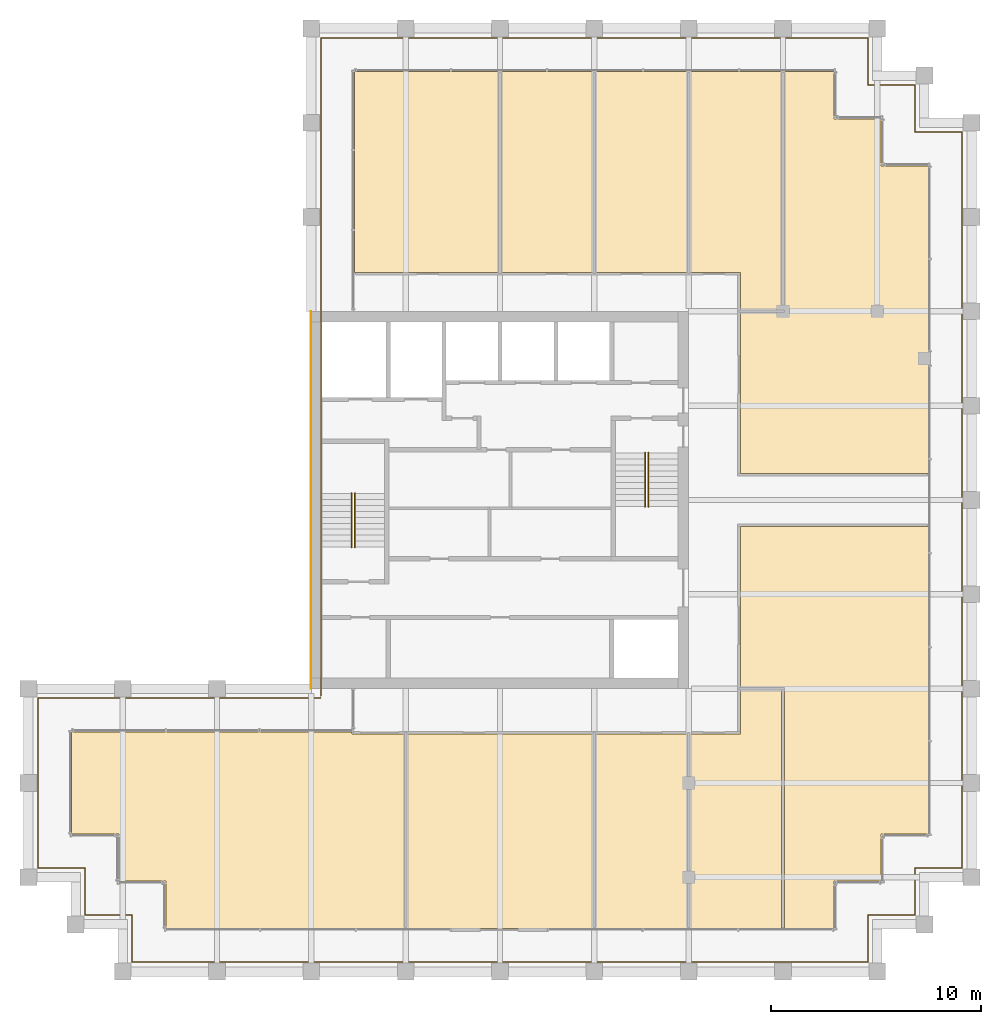
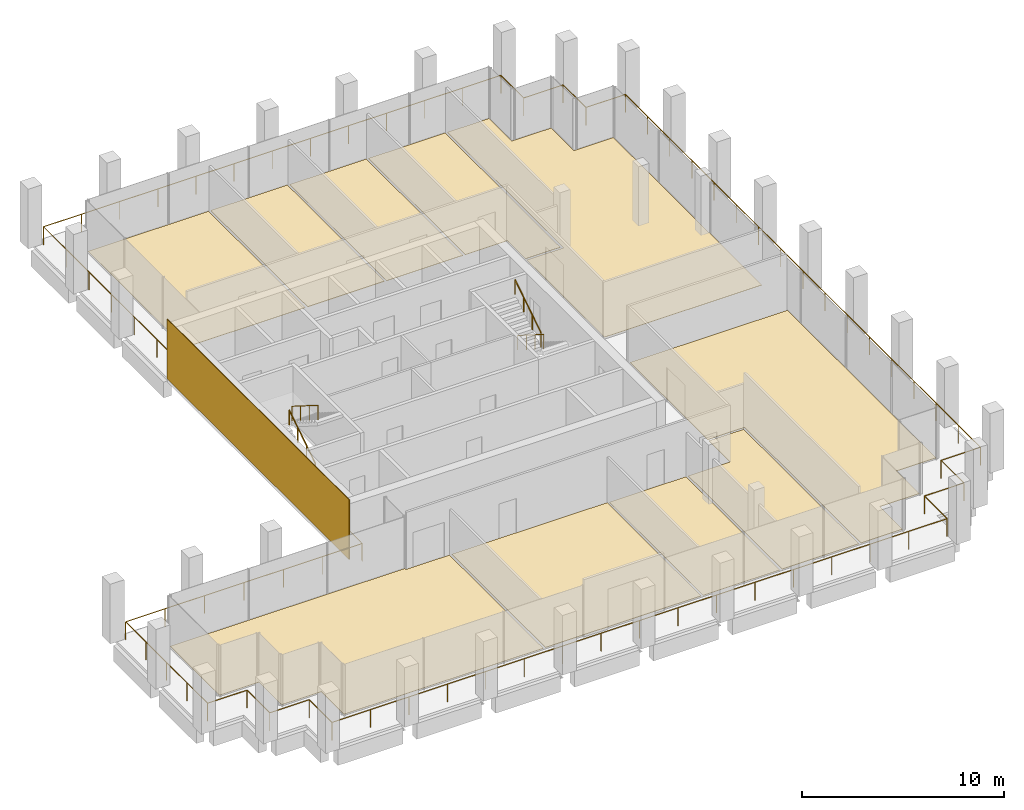
# One storey, part 30 of 30: 11 coverings, 5 railings.
"""IFC4 building model written with IfcOpenShell, lengths in metres."""

from ifc_helpers import new_model, si_unit, direction, frame, origin, origin_2d, place, context, subcontext, project, spatial, polyline, rectangle, circle, outline, extrude, source, transform, mapped, material, layer, layer_set, type_object, element, save


model = new_model("IFC4")

# Units and contexts
model_context = context("Model", 3, precision=1e-05, world=origin(), true_north=direction((0.0, 1.0)))
body_context = subcontext(model_context, "Body", "Model", "MODEL_VIEW")
ifc_project = project(units=[si_unit("LENGTHUNIT", "METRE"), si_unit("AREAUNIT", "SQUARE_METRE"), si_unit("VOLUMEUNIT", "CUBIC_METRE"), si_unit("PLANEANGLEUNIT", "RADIAN"), si_unit("MASSUNIT", "GRAM", prefix="KILO")], contexts=[model_context])

# Site, building, storey
site_placement = place(None, origin())
site = spatial("IfcSite", under=ifc_project, at=site_placement, CompositionType="ELEMENT")
building_placement = place(site_placement, origin())
building = spatial("IfcBuilding", under=site, at=building_placement, Name="Altepetl Exchange Towers", CompositionType="ELEMENT")
storey_placement = place(building_placement, frame((0.0, 0.0, 217.199951171875)))
storey = spatial("IfcBuildingStorey", under=building, at=storey_placement, Name="L55", CompositionType="ELEMENT", Elevation=217.199951171875)

# Coverings
ifc_material_1 = material(Name="Carpet tile")
ifc_layer_1 = layer(ifc_material_1, 0.02001953125)
ifc_layer_set_1 = layer_set([ifc_layer_1], Name="Carpet tile")
covering_type_1 = type_object("IfcCoveringType", Name="Carpet tile floor", PredefinedType="FLOORING", material=ifc_layer_set_1)
covering_1_placement = place(storey_placement, origin())
element("IfcCovering", 1, at=covering_1_placement, inside=storey, type_object=covering_type_1, Name="Fund office floor finish A55.01", PredefinedType="FLOORING", context=body_context, shape_type="SweptSolid", body=[
    extrude(outline(polyline([(33.5625, 29.0625), (44.9375, 29.0625), (44.9375, 38.33740234375), (42.4375, 38.33740234375), (42.4375, 38.4375), (29.0625, 38.4375), (29.0625, 33.5625), (31.3125, 33.5625), (31.3125, 31.3125), (33.5625, 31.3125), (33.5625, 29.0625)])), origin(), (0.0, 0.0, 1.0), 0.02001953125),
])
covering_2_placement = place(storey_placement, origin())
element("IfcCovering", 2, at=covering_2_placement, inside=storey, type_object=covering_type_1, Name="Pantry floor finish A55.03", PredefinedType="FLOORING", context=body_context, shape_type="SweptSolid", body=[
    extrude(outline(polyline([(58.4375, 29.0625), (58.4375, 38.33740234375), (54.0625, 38.33740234375), (54.0625, 29.0625), (58.4375, 29.0625)])), origin(), (0.0, 0.0, 1.0), 0.02001953125),
])
covering_3_placement = place(storey_placement, origin())
element("IfcCovering", 3, at=covering_3_placement, inside=storey, type_object=covering_type_1, Name="Fund office floor finish A55.06", PredefinedType="FLOORING", context=body_context, shape_type="SweptSolid", body=[
    extrude(outline(polyline([(60.96240234375, 50.762451171875), (69.9375, 50.762451171875), (69.9375, 65.4375), (67.6875, 65.4375), (67.6875, 67.6875), (65.4375, 67.6875), (65.4375, 69.9375), (63.0625, 69.9375), (63.0625, 58.4375), (60.96240234375, 58.4375), (60.96240234375, 50.762451171875)])), origin(), (0.0, 0.0, 1.0), 0.02001953125),
])
covering_4_placement = place(storey_placement, origin())
element("IfcCovering", 4, at=covering_4_placement, inside=storey, type_object=covering_type_1, Name="Training room floor finish A55.07", PredefinedType="FLOORING", context=body_context, shape_type="SweptSolid", body=[
    extrude(outline(polyline([(60.96240234375, 58.5625), (62.9375, 58.5625), (62.9375, 69.9375), (58.5625, 69.9375), (58.5625, 60.362548828125), (60.96240234375, 60.362548828125), (60.96240234375, 58.5625)])), origin(), (0.0, 0.0, 1.0), 0.02001953125),
])
covering_5_placement = place(storey_placement, origin())
element("IfcCovering", 5, at=covering_5_placement, inside=storey, type_object=covering_type_1, Name="Meeting room floor finish A55.08", PredefinedType="FLOORING", context=body_context, shape_type="SweptSolid", body=[
    extrude(outline(polyline([(58.4375, 60.362548828125), (58.4375, 69.9375), (54.0625, 69.9375), (54.0625, 60.362548828125), (58.4375, 60.362548828125)])), origin(), (0.0, 0.0, 1.0), 0.02001953125),
])
covering_6_placement = place(storey_placement, origin())
element("IfcCovering", 6, at=covering_6_placement, inside=storey, type_object=covering_type_1, Name="Conference room floor finish A55.10", PredefinedType="FLOORING", context=body_context, shape_type="SweptSolid", body=[
    extrude(outline(polyline([(49.4375, 60.362548828125), (49.4375, 69.9375), (42.5625, 69.9375), (42.5625, 60.362548828125), (49.4375, 60.362548828125)])), origin(), (0.0, 0.0, 1.0), 0.02001953125),
])
ifc_material_2 = material(Name="Cantera stone", Category="masonry")
ifc_layer_2 = layer(ifc_material_2, 0.030029296875)
ifc_layer_set_2 = layer_set([ifc_layer_2], Name="Cantera stone")
covering_type_2 = type_object("IfcCoveringType", Name="Polished stone floor", PredefinedType="FLOORING", material=ifc_layer_set_2)
covering_7_placement = place(storey_placement, origin())
element("IfcCovering", 7, at=covering_7_placement, inside=storey, type_object=covering_type_2, Name="Staff club floor finish A55.02", PredefinedType="FLOORING", context=body_context, shape_type="SweptSolid", body=[
    extrude(outline(polyline([(53.9375, 29.0625), (53.9375, 38.33740234375), (45.0625, 38.33740234375), (45.0625, 29.0625), (53.9375, 29.0625)])), origin(), (0.0, 0.0, 1.0), 0.030029296875),
])
covering_8_placement = place(storey_placement, origin())
element("IfcCovering", 8, at=covering_8_placement, inside=storey, type_object=covering_type_2, Name="Boardroom floor finish A55.04", PredefinedType="FLOORING", context=body_context, shape_type="SweptSolid", body=[
    extrude(outline(polyline([(62.9375, 29.0625), (62.9375, 40.4375), (60.96240234375, 40.4375), (60.96240234375, 38.33740234375), (58.5625, 38.33740234375), (58.5625, 29.0625), (62.9375, 29.0625)])), origin(), (0.0, 0.0, 1.0), 0.030029296875),
])
covering_9_placement = place(storey_placement, origin())
element("IfcCovering", 9, at=covering_9_placement, inside=storey, type_object=covering_type_2, Name="Cafe floor finish A55.05", PredefinedType="FLOORING", context=body_context, shape_type="SweptSolid", body=[
    extrude(outline(polyline([(67.6875, 31.3125), (67.6875, 33.5625), (69.9375, 33.5625), (69.9375, 48.237548828125), (60.96240234375, 48.237548828125), (60.96240234375, 40.5625), (63.0625, 40.5625), (63.0625, 29.0625), (65.4375, 29.0625), (65.4375, 31.3125), (67.6875, 31.3125)])), origin(), (0.0, 0.0, 1.0), 0.030029296875),
])
covering_10_placement = place(storey_placement, origin())
element("IfcCovering", 10, at=covering_10_placement, inside=storey, type_object=covering_type_2, Name="Lounge floor finish A55.09", PredefinedType="FLOORING", context=body_context, shape_type="SweptSolid", body=[
    extrude(outline(polyline([(53.9375, 60.362548828125), (53.9375, 69.9375), (49.5625, 69.9375), (49.5625, 60.362548828125), (53.9375, 60.362548828125)])), origin(), (0.0, 0.0, 1.0), 0.030029296875),
])
ifc_material_3 = material(Name="Cantera limestone cladding", Category="masonry")
ifc_layer_3 = layer(ifc_material_3, 0.0400390625)
ifc_layer_set_3 = layer_set([ifc_layer_3], Name="Cantera limestone cladding")
covering_type_3 = type_object("IfcCoveringType", Name="Stone panel 40 cantera", PredefinedType="CLADDING", material=ifc_layer_set_3)
covering_11_placement = place(storey_placement, frame((40.47998046875, 49.5, 0.0), z_axis=(0.0, 0.0, 1.0), x_axis=(0.0, -1.0, 0.0)))
element("IfcCovering", 11, at=covering_11_placement, inside=storey, type_object=covering_type_3, Name="Stone cladding panel", PredefinedType="CLADDING", context=body_context, shape_type="SweptSolid", body=[
    extrude(rectangle(XDim=18.0, YDim=0.0400390625, at=origin_2d()), origin(), (0.0, 0.0, 1.0), 3.60009765625),
])

# Railings
ifc_material_4 = material(Name="Steel S355", Category="steel")
railing_type_1 = type_object("IfcRailingType", Name="Guard 1100 steel posts and rail", PredefinedType="GUARDRAIL", material=ifc_material_4)
shared_shape_1 = source(origin(), body_context, "Body", "SweptSolid", [
    extrude(circle(Radius=0.02099609375, at=origin_2d()), origin(), (0.0, 0.0, 1.0), 1.052001953125),
])
railing_1_placement = place(storey_placement, frame((40.949951171875, 40.050048828125, 0.0)))
element("IfcRailing", 12, at=railing_1_placement, inside=storey, type_object=railing_type_1, Name="Loggia guard", PredefinedType="GUARDRAIL", context=body_context, shape_type="SweptSolid", body=[
    extrude(circle(Radius=0.02392578125, at=origin_2d()), frame((0.0, 0.0, 1.076171875), z_axis=(-1.0, 0.0, 0.0), x_axis=(0.0, -1.0, 0.0)), (0.0, 0.0, 1.0), 13.5),
    extrude(circle(Radius=0.02392578125, at=origin_2d()), frame((-13.5, 0.0, 1.076171875), z_axis=(0.0, -1.0, 0.0), x_axis=(1.0, 0.0, 0.0)), (0.0, 0.0, 1.0), 8.10009765625),
    extrude(circle(Radius=0.02392578125, at=origin_2d()), frame((-13.5, -8.10009765625, 1.076171875), z_axis=(1.0, 0.0, 0.0), x_axis=(0.0, 1.0, 0.0)), (0.0, 0.0, 1.0), 2.25),
    extrude(circle(Radius=0.02392578125, at=origin_2d()), frame((-11.25, -8.10009765625, 1.076171875), z_axis=(0.0, -1.0, 0.0), x_axis=(1.0, 0.0, 0.0)), (0.0, 0.0, 1.0), 2.25),
    extrude(circle(Radius=0.02392578125, at=origin_2d()), frame((-11.25, -10.35009765625, 1.076171875), z_axis=(1.0, 0.0, 0.0), x_axis=(0.0, 1.0, 0.0)), (0.0, 0.0, 1.0), 2.25),
    extrude(circle(Radius=0.02392578125, at=origin_2d()), frame((-9.0, -10.35009765625, 1.076171875), z_axis=(0.0, -1.0, 0.0), x_axis=(1.0, 0.0, 0.0)), (0.0, 0.0, 1.0), 2.25),
    extrude(circle(Radius=0.02392578125, at=origin_2d()), frame((-9.0, -12.60009765625, 1.076171875), z_axis=(1.0, 0.0, 0.0), x_axis=(0.0, 1.0, 0.0)), (0.0, 0.0, 1.0), 35.10009765625),
    extrude(circle(Radius=0.02392578125, at=origin_2d()), frame((26.10009765625, -12.60009765625, 1.076171875), z_axis=(0.0, 1.0, 0.0), x_axis=(-1.0, 0.0, 0.0)), (0.0, 0.0, 1.0), 2.25),
    extrude(circle(Radius=0.02392578125, at=origin_2d()), frame((26.10009765625, -10.35009765625, 1.076171875), z_axis=(1.0, 0.0, 0.0), x_axis=(0.0, 1.0, 0.0)), (0.0, 0.0, 1.0), 2.25),
    extrude(circle(Radius=0.02392578125, at=origin_2d()), frame((28.35009765625, -10.35009765625, 1.076171875), z_axis=(0.0, 1.0, 0.0), x_axis=(-1.0, 0.0, 0.0)), (0.0, 0.0, 1.0), 2.25),
    extrude(circle(Radius=0.02392578125, at=origin_2d()), frame((28.35009765625, -8.10009765625, 1.076171875), z_axis=(1.0, 0.0, 0.0), x_axis=(0.0, 1.0, 0.0)), (0.0, 0.0, 1.0), 2.25),
    extrude(circle(Radius=0.02392578125, at=origin_2d()), frame((30.60009765625, -8.10009765625, 1.076171875), z_axis=(0.0, 1.0, 0.0), x_axis=(-1.0, 0.0, 0.0)), (0.0, 0.0, 1.0), 35.10009765625),
    extrude(circle(Radius=0.02392578125, at=origin_2d()), frame((30.60009765625, 27.0, 1.076171875), z_axis=(-1.0, 0.0, 0.0), x_axis=(0.0, -1.0, 0.0)), (0.0, 0.0, 1.0), 2.25),
    extrude(circle(Radius=0.02392578125, at=origin_2d()), frame((28.35009765625, 27.0, 1.076171875), z_axis=(0.0, 1.0, 0.0), x_axis=(-1.0, 0.0, 0.0)), (0.0, 0.0, 1.0), 2.25),
    extrude(circle(Radius=0.02392578125, at=origin_2d()), frame((28.35009765625, 29.25, 1.076171875), z_axis=(-1.0, 0.0, 0.0), x_axis=(0.0, -1.0, 0.0)), (0.0, 0.0, 1.0), 2.25),
    extrude(circle(Radius=0.02392578125, at=origin_2d()), frame((26.10009765625, 29.25, 1.076171875), z_axis=(0.0, 1.0, 0.0), x_axis=(-1.0, 0.0, 0.0)), (0.0, 0.0, 1.0), 2.25),
    extrude(circle(Radius=0.02392578125, at=origin_2d()), frame((26.10009765625, 31.5, 1.076171875), z_axis=(-1.0, 0.0, 0.0), x_axis=(0.0, -1.0, 0.0)), (0.0, 0.0, 1.0), 26.10009765625),
    extrude(circle(Radius=0.02392578125, at=origin_2d()), frame((0.0, 31.5, 1.076171875), z_axis=(0.0, -1.0, 0.0), x_axis=(1.0, 0.0, 0.0)), (0.0, 0.0, 1.0), 31.400146484375),
    mapped(shared_shape_1, transform((0.0, 0.0, 0.0))),
    mapped(shared_shape_1, transform((-2.25, 0.0, 0.0))),
    mapped(shared_shape_1, transform((-4.5, 0.0, 0.0))),
    mapped(shared_shape_1, transform((-6.75, 0.0, 0.0))),
    mapped(shared_shape_1, transform((-9.0, 0.0, 0.0))),
    mapped(shared_shape_1, transform((-11.25, 0.0, 0.0))),
    mapped(shared_shape_1, transform((-13.5, 0.0, 0.0))),
    mapped(shared_shape_1, transform((-13.5, -2.02490234375, 0.0))),
    mapped(shared_shape_1, transform((-13.5, -4.050048828125, 0.0))),
    mapped(shared_shape_1, transform((-13.5, -6.0751953125, 0.0))),
    mapped(shared_shape_1, transform((-13.5, -8.10009765625, 0.0))),
    mapped(shared_shape_1, transform((-11.25, -8.10009765625, 0.0))),
    mapped(shared_shape_1, transform((-11.25, -10.35009765625, 0.0))),
    mapped(shared_shape_1, transform((-9.0, -10.35009765625, 0.0))),
    mapped(shared_shape_1, transform((-9.0, -12.60009765625, 0.0))),
    mapped(shared_shape_1, transform((-6.80615234375, -12.60009765625, 0.0))),
    mapped(shared_shape_1, transform((-4.612548828125, -12.60009765625, 0.0))),
    mapped(shared_shape_1, transform((-2.418701171875, -12.60009765625, 0.0))),
    mapped(shared_shape_1, transform((-0.22509765625, -12.60009765625, 0.0))),
    mapped(shared_shape_1, transform((1.96875, -12.60009765625, 0.0))),
    mapped(shared_shape_1, transform((4.16259765625, -12.60009765625, 0.0))),
    mapped(shared_shape_1, transform((6.356201171875, -12.60009765625, 0.0))),
    mapped(shared_shape_1, transform((8.550048828125, -12.60009765625, 0.0))),
    mapped(shared_shape_1, transform((10.743896484375, -12.60009765625, 0.0))),
    mapped(shared_shape_1, transform((12.9375, -12.60009765625, 0.0))),
    mapped(shared_shape_1, transform((15.13134765625, -12.60009765625, 0.0))),
    mapped(shared_shape_1, transform((17.3251953125, -12.60009765625, 0.0))),
    mapped(shared_shape_1, transform((19.518798828125, -12.60009765625, 0.0))),
    mapped(shared_shape_1, transform((21.712646484375, -12.60009765625, 0.0))),
    mapped(shared_shape_1, transform((23.90625, -12.60009765625, 0.0))),
    mapped(shared_shape_1, transform((26.10009765625, -12.60009765625, 0.0))),
    mapped(shared_shape_1, transform((26.10009765625, -10.35009765625, 0.0))),
    mapped(shared_shape_1, transform((28.35009765625, -10.35009765625, 0.0))),
    mapped(shared_shape_1, transform((28.35009765625, -8.10009765625, 0.0))),
    mapped(shared_shape_1, transform((30.60009765625, -8.10009765625, 0.0))),
    mapped(shared_shape_1, transform((30.60009765625, -5.90625, 0.0))),
    mapped(shared_shape_1, transform((30.60009765625, -3.712646484375, 0.0))),
    mapped(shared_shape_1, transform((30.60009765625, -1.518798828125, 0.0))),
    mapped(shared_shape_1, transform((30.60009765625, 0.6748046875, 0.0))),
    mapped(shared_shape_1, transform((30.60009765625, 2.86865234375, 0.0))),
    mapped(shared_shape_1, transform((30.60009765625, 5.0625, 0.0))),
    mapped(shared_shape_1, transform((30.60009765625, 7.256103515625, 0.0))),
    mapped(shared_shape_1, transform((30.60009765625, 9.449951171875, 0.0))),
    mapped(shared_shape_1, transform((30.60009765625, 11.643798828125, 0.0))),
    mapped(shared_shape_1, transform((30.60009765625, 13.83740234375, 0.0))),
    mapped(shared_shape_1, transform((30.60009765625, 16.03125, 0.0))),
    mapped(shared_shape_1, transform((30.60009765625, 18.22509765625, 0.0))),
    mapped(shared_shape_1, transform((30.60009765625, 20.418701171875, 0.0))),
    mapped(shared_shape_1, transform((30.60009765625, 22.612548828125, 0.0))),
    mapped(shared_shape_1, transform((30.60009765625, 24.80615234375, 0.0))),
    mapped(shared_shape_1, transform((30.60009765625, 27.0, 0.0))),
    mapped(shared_shape_1, transform((28.35009765625, 27.0, 0.0))),
    mapped(shared_shape_1, transform((28.35009765625, 29.25, 0.0))),
    mapped(shared_shape_1, transform((26.10009765625, 29.25, 0.0))),
    mapped(shared_shape_1, transform((26.10009765625, 31.5, 0.0))),
    mapped(shared_shape_1, transform((23.925048828125, 31.5, 0.0))),
    mapped(shared_shape_1, transform((21.75, 31.5, 0.0))),
    mapped(shared_shape_1, transform((19.5751953125, 31.5, 0.0))),
    mapped(shared_shape_1, transform((17.400146484375, 31.5, 0.0))),
    mapped(shared_shape_1, transform((15.22509765625, 31.5, 0.0))),
    mapped(shared_shape_1, transform((13.050048828125, 31.5, 0.0))),
    mapped(shared_shape_1, transform((10.875, 31.5, 0.0))),
    mapped(shared_shape_1, transform((8.699951171875, 31.5, 0.0))),
    mapped(shared_shape_1, transform((6.52490234375, 31.5, 0.0))),
    mapped(shared_shape_1, transform((4.35009765625, 31.5, 0.0))),
    mapped(shared_shape_1, transform((2.175048828125, 31.5, 0.0))),
    mapped(shared_shape_1, transform((0.0, 31.5, 0.0))),
    mapped(shared_shape_1, transform((0.0, 29.257080078125, 0.0))),
    mapped(shared_shape_1, transform((0.0, 27.01416015625, 0.0))),
    mapped(shared_shape_1, transform((0.0, 24.771484375, 0.0))),
    mapped(shared_shape_1, transform((0.0, 22.528564453125, 0.0))),
    mapped(shared_shape_1, transform((0.0, 20.28564453125, 0.0))),
    mapped(shared_shape_1, transform((0.0, 18.042724609375, 0.0))),
    mapped(shared_shape_1, transform((0.0, 15.7998046875, 0.0))),
    mapped(shared_shape_1, transform((0.0, 13.55712890625, 0.0))),
    mapped(shared_shape_1, transform((0.0, 11.314208984375, 0.0))),
    mapped(shared_shape_1, transform((0.0, 9.0712890625, 0.0))),
    mapped(shared_shape_1, transform((0.0, 6.828369140625, 0.0))),
    mapped(shared_shape_1, transform((0.0, 4.585693359375, 0.0))),
    mapped(shared_shape_1, transform((0.0, 2.3427734375, 0.0))),
    mapped(shared_shape_1, transform((0.0, 0.099853515625, 0.0))),
])
ifc_material_5 = material(Name="Steel", Category="steel")
railing_type_2 = type_object("IfcRailingType", Name="Stair handrail 50 steel tube", PredefinedType="HANDRAIL", material=ifc_material_5)
shared_shape_2 = source(origin(), body_context, "Body", "SweptSolid", [
    extrude(circle(Radius=0.02099609375, at=origin_2d()), origin(), (0.0, 0.0, 1.0), 0.851806640625),
])
railing_2_placement = place(storey_placement, frame((42.419921875, 47.25, 0.179931640625)))
element("IfcRailing", 13, at=railing_2_placement, inside=storey, type_object=railing_type_2, Name="Stair handrail", PredefinedType="HANDRAIL", context=body_context, shape_type="SweptSolid", body=[
    extrude(circle(Radius=0.02392578125, at=origin_2d()), frame((0.0, 0.0, 0.8759765625), z_axis=(0.0, 0.845465955043, 0.534029323973), x_axis=(-1.0, 0.0, 0.0)), (0.0, 0.0, 1.0), 3.03369140625),
    mapped(shared_shape_2, transform((0.0, 0.0, 0.0))),
    mapped(shared_shape_2, transform((0.0, 0.85498046875, 0.5400390625))),
    mapped(shared_shape_2, transform((0.0, 1.7099609375, 1.080078125))),
    mapped(shared_shape_2, transform((0.0, 2.56494140625, 1.6201171875))),
])
for number, where, name in (
    (14, (42.580078125, 49.81494140625, 1.97998046875), "Stair handrail"),
    (15, (56.580078125, 51.75, 0.179931640625), "Stair handrail"),
):
    element("IfcRailing", number, at=place(storey_placement, frame(where)), inside=storey, type_object=railing_type_2, Name=name, PredefinedType="HANDRAIL", context=body_context, shape_type="SweptSolid", body=[
        extrude(circle(Radius=0.02392578125, at=origin_2d()), frame((0.0, 0.0, 0.8759765625), z_axis=(0.0, -0.845465955043, 0.534029323973), x_axis=(1.0, 0.0, 0.0)), (0.0, 0.0, 1.0), 3.03369140625),
        mapped(shared_shape_2, transform((0.0, 0.0, 0.0))),
        mapped(shared_shape_2, transform((0.0, -0.85498046875, 0.5400390625))),
        mapped(shared_shape_2, transform((0.0, -1.7099609375, 1.080078125))),
        mapped(shared_shape_2, transform((0.0, -2.56494140625, 1.6201171875))),
    ])
railing_3_placement = place(storey_placement, frame((56.419921875, 49.18505859375, 1.97998046875)))
element("IfcRailing", 16, at=railing_3_placement, inside=storey, type_object=railing_type_2, Name="Stair handrail", PredefinedType="HANDRAIL", context=body_context, shape_type="SweptSolid", body=[
    extrude(circle(Radius=0.02392578125, at=origin_2d()), frame((0.0, 0.0, 0.8759765625), z_axis=(0.0, 0.845465955043, 0.534029323973), x_axis=(-1.0, 0.0, 0.0)), (0.0, 0.0, 1.0), 3.03369140625),
    mapped(shared_shape_2, transform((0.0, 0.0, 0.0))),
    mapped(shared_shape_2, transform((0.0, 0.85498046875, 0.5400390625))),
    mapped(shared_shape_2, transform((0.0, 1.7099609375, 1.080078125))),
    mapped(shared_shape_2, transform((0.0, 2.56494140625, 1.6201171875))),
])

save(model, "model.ifc")
